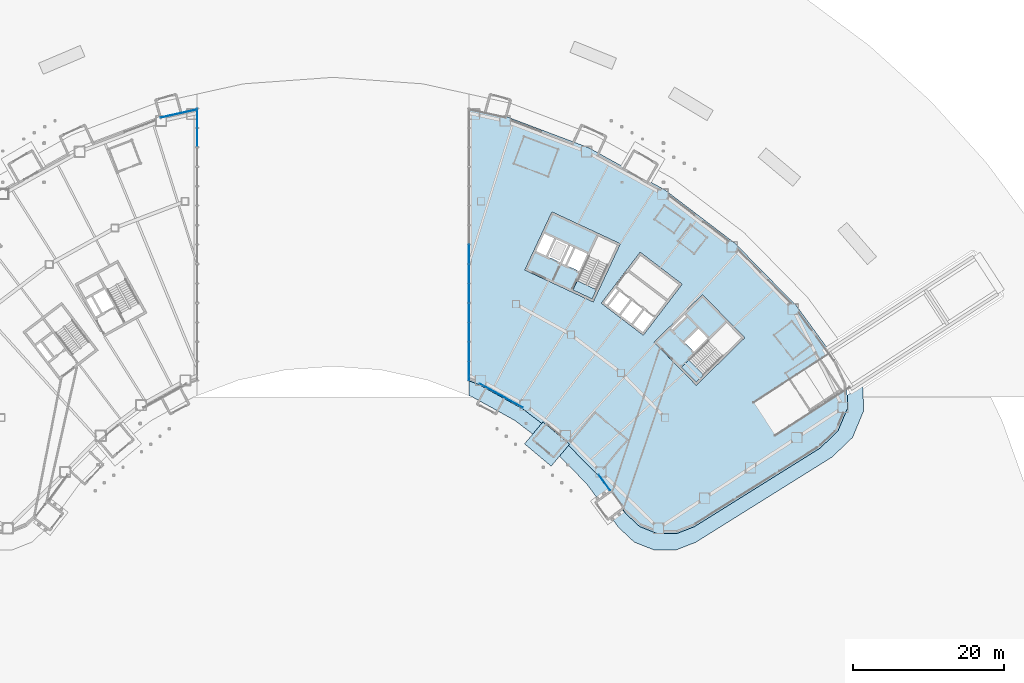
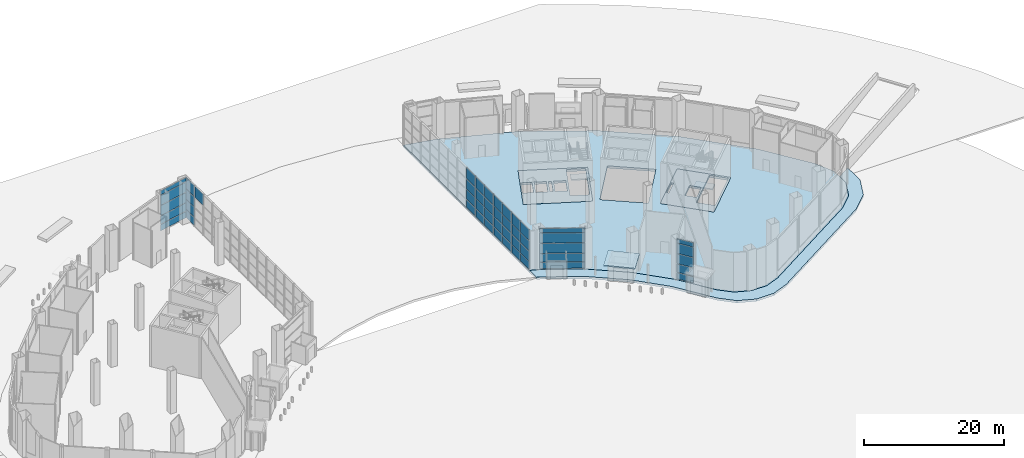
# One storey, part 28 of 45: 48 plates, 7 slabs, 10 elements without a shape of their own.
"""IFC4 building model written with IfcOpenShell, lengths in metres."""

from ifc_helpers import new_model, si_unit, direction, frame, origin, origin_2d, place, context, subcontext, project, spatial, polyline, rectangle, outline, extrude, material, layer, layer_set, type_object, element, aggregate, save


model = new_model("IFC4")

# Units and contexts
model_context = context("Model", 3, precision=1e-05, world=origin(), true_north=direction((0.0, 1.0)))
body_context = subcontext(model_context, "Body", "Model", "MODEL_VIEW")
ifc_project = project(units=[si_unit("LENGTHUNIT", "METRE"), si_unit("AREAUNIT", "SQUARE_METRE"), si_unit("VOLUMEUNIT", "CUBIC_METRE"), si_unit("PLANEANGLEUNIT", "RADIAN"), si_unit("MASSUNIT", "GRAM", prefix="KILO")], contexts=[model_context])

# Site, building, storey
site_placement = place(None, origin())
site = spatial("IfcSite", under=ifc_project, at=site_placement, CompositionType="ELEMENT")
building_placement = place(site_placement, origin())
building = spatial("IfcBuilding", under=site, at=building_placement, Name="Tuul Gate Civic Tower", CompositionType="ELEMENT")
storey_placement = place(building_placement, origin())
storey = spatial("IfcBuildingStorey", under=building, at=storey_placement, Name="Level 00", CompositionType="ELEMENT", Elevation=0.0)

# Curtain wall, plates
ifc_material_1 = material(Name="Aluminium", Category="aluminium")
ifc_layer_1 = layer(ifc_material_1, 0.199951171875)
ifc_layer_set_1 = layer_set([ifc_layer_1], Name="Aluminium")
curtain_wall_type_1 = type_object("IfcCurtainWallType", Name="Curtain wall CW1", PredefinedType="NOTDEFINED", material=ifc_layer_set_1)
curtain_wall_1_placement = place(storey_placement, origin())
curtain_wall_1 = element("IfcCurtainWall", 1, at=curtain_wall_1_placement, inside=storey, type_object=curtain_wall_type_1, Name="Curtain wall CW1", PredefinedType="NOTDEFINED")
ifc_material_2 = material(Name="Low-iron laminated glass", Category="glass")
ifc_layer_2 = layer(ifc_material_2, 0.035888671875)
ifc_layer_set_2 = layer_set([ifc_layer_2], Name="Low-iron laminated glass")
plate_type_1 = type_object("IfcPlateType", Name="CW1 panel", PredefinedType="CURTAIN_PANEL", material=ifc_layer_set_2)
plate_1_placement = place(storey_placement, frame((-20.46044921875, 17.5693359375, 0.06982421875), z_axis=(0.0, 0.0, 1.0), x_axis=(-0.976568507005, -0.215206763662, 0.0)))
plate_1 = element("IfcPlate", 2, at=plate_1_placement, type_object=plate_type_1, Name="Panel", PredefinedType="CURTAIN_PANEL", context=body_context, shape_type="SweptSolid", body=[
    extrude(rectangle(XDim=4.899169921875, YDim=0.035888671875, at=origin_2d()), origin(), (0.0, 0.0, 1.0), 1.094970703125),
])
plate_2_placement = place(storey_placement, frame((-20.46044921875, 17.5693359375, 1.23486328125), z_axis=(0.0, 0.0, 1.0), x_axis=(-0.976568507005, -0.215206763662, 0.0)))
plate_2 = element("IfcPlate", 3, at=plate_2_placement, type_object=plate_type_1, Name="Panel", PredefinedType="CURTAIN_PANEL", context=body_context, shape_type="SweptSolid", body=[
    extrude(rectangle(XDim=4.899169921875, YDim=0.035888671875, at=origin_2d()), origin(), (0.0, 0.0, 1.0), 1.429931640625),
])
plate_3_placement = place(storey_placement, frame((-20.46044921875, 17.5693359375, 2.735107421875), z_axis=(0.0, 0.0, 1.0), x_axis=(-0.976568507005, -0.215206763662, 0.0)))
plate_3 = element("IfcPlate", 4, at=plate_3_placement, type_object=plate_type_1, Name="Panel", PredefinedType="CURTAIN_PANEL", context=body_context, shape_type="SweptSolid", body=[
    extrude(rectangle(XDim=4.899169921875, YDim=0.035888671875, at=origin_2d()), origin(), (0.0, 0.0, 1.0), 1.72998046875),
])
plate_4_placement = place(storey_placement, frame((-20.46044921875, 17.5693359375, 4.534912109375), z_axis=(0.0, 0.0, 1.0), x_axis=(-0.976568507005, -0.215206763662, 0.0)))
plate_4 = element("IfcPlate", 5, at=plate_4_placement, type_object=plate_type_1, Name="Panel", PredefinedType="CURTAIN_PANEL", context=body_context, shape_type="SweptSolid", body=[
    extrude(rectangle(XDim=4.899169921875, YDim=0.035888671875, at=origin_2d()), origin(), (0.0, 0.0, 1.0), 1.72998046875),
])
plate_5_placement = place(storey_placement, frame((-20.46044921875, 17.5693359375, 6.3349609375), z_axis=(0.0, 0.0, 1.0), x_axis=(-0.976568507005, -0.215206763662, 0.0)))
plate_5 = element("IfcPlate", 6, at=plate_5_placement, type_object=plate_type_1, Name="Panel", PredefinedType="CURTAIN_PANEL", context=body_context, shape_type="SweptSolid", body=[
    extrude(rectangle(XDim=4.899169921875, YDim=0.035888671875, at=origin_2d()), origin(), (0.0, 0.0, 1.0), 0.7451171875),
])
aggregate(curtain_wall_1, [plate_1, plate_2, plate_3, plate_4, plate_5])

curtain_wall_2_placement = place(storey_placement, origin())
curtain_wall_2 = element("IfcCurtainWall", 7, at=curtain_wall_2_placement, inside=storey, type_object=curtain_wall_type_1, Name="Curtain wall CW1", PredefinedType="NOTDEFINED")
plate_6_placement = place(storey_placement, frame((22.279541015625, -19.806396484375, 0.06982421875), z_axis=(0.0, 0.0, 1.0), x_axis=(0.87466693756, -0.484724404523, 0.0)))
plate_6 = element("IfcPlate", 8, at=plate_6_placement, type_object=plate_type_1, Name="Panel", PredefinedType="CURTAIN_PANEL", context=body_context, shape_type="SweptSolid", body=[
    extrude(rectangle(XDim=6.517333984375, YDim=0.035888671875, at=origin_2d()), origin(), (0.0, 0.0, 1.0), 1.094970703125),
])
plate_7_placement = place(storey_placement, frame((22.279541015625, -19.806396484375, 1.23486328125), z_axis=(0.0, 0.0, 1.0), x_axis=(0.87466693756, -0.484724404523, 0.0)))
plate_7 = element("IfcPlate", 9, at=plate_7_placement, type_object=plate_type_1, Name="Panel", PredefinedType="CURTAIN_PANEL", context=body_context, shape_type="SweptSolid", body=[
    extrude(rectangle(XDim=6.517333984375, YDim=0.035888671875, at=origin_2d()), origin(), (0.0, 0.0, 1.0), 1.429931640625),
])
plate_8_placement = place(storey_placement, frame((22.279541015625, -19.806396484375, 2.735107421875), z_axis=(0.0, 0.0, 1.0), x_axis=(0.87466693756, -0.484724404523, 0.0)))
plate_8 = element("IfcPlate", 10, at=plate_8_placement, type_object=plate_type_1, Name="Panel", PredefinedType="CURTAIN_PANEL", context=body_context, shape_type="SweptSolid", body=[
    extrude(rectangle(XDim=6.517333984375, YDim=0.035888671875, at=origin_2d()), origin(), (0.0, 0.0, 1.0), 1.72998046875),
])
plate_9_placement = place(storey_placement, frame((22.279541015625, -19.806396484375, 4.534912109375), z_axis=(0.0, 0.0, 1.0), x_axis=(0.87466693756, -0.484724404523, 0.0)))
plate_9 = element("IfcPlate", 11, at=plate_9_placement, type_object=plate_type_1, Name="Panel", PredefinedType="CURTAIN_PANEL", context=body_context, shape_type="SweptSolid", body=[
    extrude(rectangle(XDim=6.517333984375, YDim=0.035888671875, at=origin_2d()), origin(), (0.0, 0.0, 1.0), 1.72998046875),
])
plate_10_placement = place(storey_placement, frame((22.279541015625, -19.806396484375, 6.3349609375), z_axis=(0.0, 0.0, 1.0), x_axis=(0.87466693756, -0.484724404523, 0.0)))
plate_10 = element("IfcPlate", 12, at=plate_10_placement, type_object=plate_type_1, Name="Panel", PredefinedType="CURTAIN_PANEL", context=body_context, shape_type="SweptSolid", body=[
    extrude(rectangle(XDim=6.517333984375, YDim=0.035888671875, at=origin_2d()), origin(), (0.0, 0.0, 1.0), 0.7451171875),
])
aggregate(curtain_wall_2, [plate_6, plate_7, plate_8, plate_9, plate_10])

curtain_wall_3_placement = place(storey_placement, origin())
curtain_wall_3 = element("IfcCurtainWall", 13, at=curtain_wall_3_placement, inside=storey, type_object=curtain_wall_type_1, Name="Curtain wall CW1", PredefinedType="NOTDEFINED")
plate_11_placement = place(storey_placement, frame((35.9384765625, -31.28955078125, 0.06982421875), z_axis=(0.0, 0.0, 1.0), x_axis=(0.589756302419, -0.807581267587, 0.0)))
plate_11 = element("IfcPlate", 14, at=plate_11_placement, type_object=plate_type_1, Name="Panel", PredefinedType="CURTAIN_PANEL", context=body_context, shape_type="SweptSolid", body=[
    extrude(rectangle(XDim=2.541015625, YDim=0.035888671875, at=origin_2d()), origin(), (0.0, 0.0, 1.0), 1.094970703125),
])
plate_12_placement = place(storey_placement, frame((35.9384765625, -31.28955078125, 1.23486328125), z_axis=(0.0, 0.0, 1.0), x_axis=(0.589756302419, -0.807581267587, 0.0)))
plate_12 = element("IfcPlate", 15, at=plate_12_placement, type_object=plate_type_1, Name="Panel", PredefinedType="CURTAIN_PANEL", context=body_context, shape_type="SweptSolid", body=[
    extrude(rectangle(XDim=2.541015625, YDim=0.035888671875, at=origin_2d()), origin(), (0.0, 0.0, 1.0), 1.429931640625),
])
plate_13_placement = place(storey_placement, frame((35.9384765625, -31.28955078125, 2.735107421875), z_axis=(0.0, 0.0, 1.0), x_axis=(0.589756302419, -0.807581267587, 0.0)))
plate_13 = element("IfcPlate", 16, at=plate_13_placement, type_object=plate_type_1, Name="Panel", PredefinedType="CURTAIN_PANEL", context=body_context, shape_type="SweptSolid", body=[
    extrude(rectangle(XDim=2.541015625, YDim=0.035888671875, at=origin_2d()), origin(), (0.0, 0.0, 1.0), 1.72998046875),
])
plate_14_placement = place(storey_placement, frame((35.9384765625, -31.28955078125, 4.534912109375), z_axis=(0.0, 0.0, 1.0), x_axis=(0.589756302419, -0.807581267587, 0.0)))
plate_14 = element("IfcPlate", 17, at=plate_14_placement, type_object=plate_type_1, Name="Panel", PredefinedType="CURTAIN_PANEL", context=body_context, shape_type="SweptSolid", body=[
    extrude(rectangle(XDim=2.541015625, YDim=0.035888671875, at=origin_2d()), origin(), (0.0, 0.0, 1.0), 1.72998046875),
])
plate_15_placement = place(storey_placement, frame((35.9384765625, -31.28955078125, 6.3349609375), z_axis=(0.0, 0.0, 1.0), x_axis=(0.589756302419, -0.807581267587, 0.0)))
plate_15 = element("IfcPlate", 18, at=plate_15_placement, type_object=plate_type_1, Name="Panel", PredefinedType="CURTAIN_PANEL", context=body_context, shape_type="SweptSolid", body=[
    extrude(rectangle(XDim=2.541015625, YDim=0.035888671875, at=origin_2d()), origin(), (0.0, 0.0, 1.0), 0.7451171875),
])
aggregate(curtain_wall_3, [plate_11, plate_12, plate_13, plate_14, plate_15])

ifc_material_3 = material(Name="Stainless steel", Category="steel")
ifc_layer_3 = layer(ifc_material_3, 0.199951171875)
ifc_layer_set_3 = layer_set([ifc_layer_3], Name="Stainless steel")
curtain_wall_type_2 = type_object("IfcCurtainWallType", Name="Curtain wall CW2", PredefinedType="NOTDEFINED", material=ifc_layer_set_3)
curtain_wall_4_placement = place(storey_placement, origin())
curtain_wall_4 = element("IfcCurtainWall", 19, at=curtain_wall_4_placement, inside=storey, type_object=curtain_wall_type_2, Name="Curtain wall CW2", PredefinedType="NOTDEFINED")
ifc_material_4 = material(Name="Laminated glass", Category="glass")
ifc_layer_4 = layer(ifc_material_4, 0.0439453125)
ifc_layer_set_4 = layer_set([ifc_layer_4], Name="Laminated glass")
plate_type_2 = type_object("IfcPlateType", Name="CW2 panel", PredefinedType="CURTAIN_PANEL", material=ifc_layer_set_4)
plate_16_placement = place(storey_placement, frame((-18.0, 14.4169921875, 5.14013671875), z_axis=(0.0, 0.0, 1.0), x_axis=(0.0, 1.0, 0.0)))
plate_16 = element("IfcPlate", 20, at=plate_16_placement, type_object=plate_type_2, Name="Panel", PredefinedType="CURTAIN_PANEL", context=body_context, shape_type="SweptSolid", body=[
    extrude(rectangle(XDim=2.458740234375, YDim=0.0439453125, at=origin_2d()), origin(), (0.0, 0.0, 1.0), 1.929931640625),
])
plate_17_placement = place(storey_placement, frame((-18.0, 16.95556640625, 0.080078125), z_axis=(0.0, 0.0, 1.0), x_axis=(0.0, 1.0, 0.0)))
plate_17 = element("IfcPlate", 21, at=plate_17_placement, type_object=plate_type_2, Name="Panel", PredefinedType="CURTAIN_PANEL", context=body_context, shape_type="SweptSolid", body=[
    extrude(rectangle(XDim=2.458740234375, YDim=0.0439453125, at=origin_2d()), origin(), (0.0, 0.0, 1.0), 1.3798828125),
])
plate_18_placement = place(storey_placement, frame((-18.0, 16.95556640625, 1.5400390625), z_axis=(0.0, 0.0, 1.0), x_axis=(0.0, 1.0, 0.0)))
plate_18 = element("IfcPlate", 22, at=plate_18_placement, type_object=plate_type_2, Name="Panel", PredefinedType="CURTAIN_PANEL", context=body_context, shape_type="SweptSolid", body=[
    extrude(rectangle(XDim=2.458740234375, YDim=0.0439453125, at=origin_2d()), origin(), (0.0, 0.0, 1.0), 1.719970703125),
])
plate_19_placement = place(storey_placement, frame((-18.0, 16.95556640625, 3.33984375), z_axis=(0.0, 0.0, 1.0), x_axis=(0.0, 1.0, 0.0)))
plate_19 = element("IfcPlate", 23, at=plate_19_placement, type_object=plate_type_2, Name="Panel", PredefinedType="CURTAIN_PANEL", context=body_context, shape_type="SweptSolid", body=[
    extrude(rectangle(XDim=2.458740234375, YDim=0.0439453125, at=origin_2d()), origin(), (0.0, 0.0, 1.0), 1.719970703125),
])
plate_20_placement = place(storey_placement, frame((-18.0, 16.95556640625, 5.14013671875), z_axis=(0.0, 0.0, 1.0), x_axis=(0.0, 1.0, 0.0)))
plate_20 = element("IfcPlate", 24, at=plate_20_placement, type_object=plate_type_2, Name="Panel", PredefinedType="CURTAIN_PANEL", context=body_context, shape_type="SweptSolid", body=[
    extrude(rectangle(XDim=2.458740234375, YDim=0.0439453125, at=origin_2d()), origin(), (0.0, 0.0, 1.0), 1.929931640625),
])
aggregate(curtain_wall_4, [plate_16, plate_17, plate_18, plate_19, plate_20])

curtain_wall_5_placement = place(storey_placement, origin())
curtain_wall_5 = element("IfcCurtainWall", 25, at=curtain_wall_5_placement, inside=storey, type_object=curtain_wall_type_2, Name="Curtain wall CW2", PredefinedType="NOTDEFINED")
plate_21_placement = place(storey_placement, frame((18.0, -16.526611328125, 0.080078125), z_axis=(0.0, 0.0, 1.0), x_axis=(0.0, 1.0, 0.0)))
plate_21 = element("IfcPlate", 26, at=plate_21_placement, type_object=plate_type_2, Name="Panel", PredefinedType="CURTAIN_PANEL", context=body_context, shape_type="SweptSolid", body=[
    extrude(rectangle(XDim=2.458740234375, YDim=0.0439453125, at=origin_2d()), origin(), (0.0, 0.0, 1.0), 1.3798828125),
])
plate_22_placement = place(storey_placement, frame((18.0, -16.526611328125, 1.5400390625), z_axis=(0.0, 0.0, 1.0), x_axis=(0.0, 1.0, 0.0)))
plate_22 = element("IfcPlate", 27, at=plate_22_placement, type_object=plate_type_2, Name="Panel", PredefinedType="CURTAIN_PANEL", context=body_context, shape_type="SweptSolid", body=[
    extrude(rectangle(XDim=2.458740234375, YDim=0.0439453125, at=origin_2d()), origin(), (0.0, 0.0, 1.0), 1.719970703125),
])
plate_23_placement = place(storey_placement, frame((18.0, -16.526611328125, 3.33984375), z_axis=(0.0, 0.0, 1.0), x_axis=(0.0, 1.0, 0.0)))
plate_23 = element("IfcPlate", 28, at=plate_23_placement, type_object=plate_type_2, Name="Panel", PredefinedType="CURTAIN_PANEL", context=body_context, shape_type="SweptSolid", body=[
    extrude(rectangle(XDim=2.458740234375, YDim=0.0439453125, at=origin_2d()), origin(), (0.0, 0.0, 1.0), 1.719970703125),
])
plate_24_placement = place(storey_placement, frame((18.0, -16.526611328125, 5.14013671875), z_axis=(0.0, 0.0, 1.0), x_axis=(0.0, 1.0, 0.0)))
plate_24 = element("IfcPlate", 29, at=plate_24_placement, type_object=plate_type_2, Name="Panel", PredefinedType="CURTAIN_PANEL", context=body_context, shape_type="SweptSolid", body=[
    extrude(rectangle(XDim=2.458740234375, YDim=0.0439453125, at=origin_2d()), origin(), (0.0, 0.0, 1.0), 1.929931640625),
])
plate_25_placement = place(storey_placement, frame((18.0, -13.988037109375, 0.080078125), z_axis=(0.0, 0.0, 1.0), x_axis=(0.0, 1.0, 0.0)))
plate_25 = element("IfcPlate", 30, at=plate_25_placement, type_object=plate_type_2, Name="Panel", PredefinedType="CURTAIN_PANEL", context=body_context, shape_type="SweptSolid", body=[
    extrude(rectangle(XDim=2.458740234375, YDim=0.0439453125, at=origin_2d()), origin(), (0.0, 0.0, 1.0), 1.3798828125),
])
plate_26_placement = place(storey_placement, frame((18.0, -13.988037109375, 1.5400390625), z_axis=(0.0, 0.0, 1.0), x_axis=(0.0, 1.0, 0.0)))
plate_26 = element("IfcPlate", 31, at=plate_26_placement, type_object=plate_type_2, Name="Panel", PredefinedType="CURTAIN_PANEL", context=body_context, shape_type="SweptSolid", body=[
    extrude(rectangle(XDim=2.458740234375, YDim=0.0439453125, at=origin_2d()), origin(), (0.0, 0.0, 1.0), 1.719970703125),
])
plate_27_placement = place(storey_placement, frame((18.0, -13.988037109375, 3.33984375), z_axis=(0.0, 0.0, 1.0), x_axis=(0.0, 1.0, 0.0)))
plate_27 = element("IfcPlate", 32, at=plate_27_placement, type_object=plate_type_2, Name="Panel", PredefinedType="CURTAIN_PANEL", context=body_context, shape_type="SweptSolid", body=[
    extrude(rectangle(XDim=2.458740234375, YDim=0.0439453125, at=origin_2d()), origin(), (0.0, 0.0, 1.0), 1.719970703125),
])
plate_28_placement = place(storey_placement, frame((18.0, -13.988037109375, 5.14013671875), z_axis=(0.0, 0.0, 1.0), x_axis=(0.0, 1.0, 0.0)))
plate_28 = element("IfcPlate", 33, at=plate_28_placement, type_object=plate_type_2, Name="Panel", PredefinedType="CURTAIN_PANEL", context=body_context, shape_type="SweptSolid", body=[
    extrude(rectangle(XDim=2.458740234375, YDim=0.0439453125, at=origin_2d()), origin(), (0.0, 0.0, 1.0), 1.929931640625),
])
aggregate(curtain_wall_5, [plate_21, plate_22, plate_23, plate_24, plate_25, plate_26, plate_27, plate_28])

curtain_wall_6_placement = place(storey_placement, origin())
curtain_wall_6 = element("IfcCurtainWall", 34, at=curtain_wall_6_placement, inside=storey, type_object=curtain_wall_type_2, Name="Curtain wall CW2", PredefinedType="NOTDEFINED")
plate_29_placement = place(storey_placement, frame((18.0, -11.369384765625, 0.080078125), z_axis=(0.0, 0.0, 1.0), x_axis=(0.0, 1.0, 0.0)))
plate_29 = element("IfcPlate", 35, at=plate_29_placement, type_object=plate_type_2, Name="Panel", PredefinedType="CURTAIN_PANEL", context=body_context, shape_type="SweptSolid", body=[
    extrude(rectangle(XDim=2.458740234375, YDim=0.0439453125, at=origin_2d()), origin(), (0.0, 0.0, 1.0), 1.3798828125),
])
plate_30_placement = place(storey_placement, frame((18.0, -11.369384765625, 1.5400390625), z_axis=(0.0, 0.0, 1.0), x_axis=(0.0, 1.0, 0.0)))
plate_30 = element("IfcPlate", 36, at=plate_30_placement, type_object=plate_type_2, Name="Panel", PredefinedType="CURTAIN_PANEL", context=body_context, shape_type="SweptSolid", body=[
    extrude(rectangle(XDim=2.458740234375, YDim=0.0439453125, at=origin_2d()), origin(), (0.0, 0.0, 1.0), 1.719970703125),
])
plate_31_placement = place(storey_placement, frame((18.0, -11.369384765625, 3.33984375), z_axis=(0.0, 0.0, 1.0), x_axis=(0.0, 1.0, 0.0)))
plate_31 = element("IfcPlate", 37, at=plate_31_placement, type_object=plate_type_2, Name="Panel", PredefinedType="CURTAIN_PANEL", context=body_context, shape_type="SweptSolid", body=[
    extrude(rectangle(XDim=2.458740234375, YDim=0.0439453125, at=origin_2d()), origin(), (0.0, 0.0, 1.0), 1.719970703125),
])
plate_32_placement = place(storey_placement, frame((18.0, -11.369384765625, 5.14013671875), z_axis=(0.0, 0.0, 1.0), x_axis=(0.0, 1.0, 0.0)))
plate_32 = element("IfcPlate", 38, at=plate_32_placement, type_object=plate_type_2, Name="Panel", PredefinedType="CURTAIN_PANEL", context=body_context, shape_type="SweptSolid", body=[
    extrude(rectangle(XDim=2.458740234375, YDim=0.0439453125, at=origin_2d()), origin(), (0.0, 0.0, 1.0), 1.929931640625),
])
plate_33_placement = place(storey_placement, frame((18.0, -8.830810546875, 0.080078125), z_axis=(0.0, 0.0, 1.0), x_axis=(0.0, 1.0, 0.0)))
plate_33 = element("IfcPlate", 39, at=plate_33_placement, type_object=plate_type_2, Name="Panel", PredefinedType="CURTAIN_PANEL", context=body_context, shape_type="SweptSolid", body=[
    extrude(rectangle(XDim=2.458740234375, YDim=0.0439453125, at=origin_2d()), origin(), (0.0, 0.0, 1.0), 1.3798828125),
])
plate_34_placement = place(storey_placement, frame((18.0, -8.830810546875, 1.5400390625), z_axis=(0.0, 0.0, 1.0), x_axis=(0.0, 1.0, 0.0)))
plate_34 = element("IfcPlate", 40, at=plate_34_placement, type_object=plate_type_2, Name="Panel", PredefinedType="CURTAIN_PANEL", context=body_context, shape_type="SweptSolid", body=[
    extrude(rectangle(XDim=2.458740234375, YDim=0.0439453125, at=origin_2d()), origin(), (0.0, 0.0, 1.0), 1.719970703125),
])
plate_35_placement = place(storey_placement, frame((18.0, -8.830810546875, 3.33984375), z_axis=(0.0, 0.0, 1.0), x_axis=(0.0, 1.0, 0.0)))
plate_35 = element("IfcPlate", 41, at=plate_35_placement, type_object=plate_type_2, Name="Panel", PredefinedType="CURTAIN_PANEL", context=body_context, shape_type="SweptSolid", body=[
    extrude(rectangle(XDim=2.458740234375, YDim=0.0439453125, at=origin_2d()), origin(), (0.0, 0.0, 1.0), 1.719970703125),
])
plate_36_placement = place(storey_placement, frame((18.0, -8.830810546875, 5.14013671875), z_axis=(0.0, 0.0, 1.0), x_axis=(0.0, 1.0, 0.0)))
plate_36 = element("IfcPlate", 42, at=plate_36_placement, type_object=plate_type_2, Name="Panel", PredefinedType="CURTAIN_PANEL", context=body_context, shape_type="SweptSolid", body=[
    extrude(rectangle(XDim=2.458740234375, YDim=0.0439453125, at=origin_2d()), origin(), (0.0, 0.0, 1.0), 1.929931640625),
])
aggregate(curtain_wall_6, [plate_29, plate_30, plate_31, plate_32, plate_33, plate_34, plate_35, plate_36])

curtain_wall_7_placement = place(storey_placement, origin())
curtain_wall_7 = element("IfcCurtainWall", 43, at=curtain_wall_7_placement, inside=storey, type_object=curtain_wall_type_2, Name="Curtain wall CW2", PredefinedType="NOTDEFINED")
plate_37_placement = place(storey_placement, frame((18.0, -6.212158203125, 0.080078125), z_axis=(0.0, 0.0, 1.0), x_axis=(0.0, 1.0, 0.0)))
plate_37 = element("IfcPlate", 44, at=plate_37_placement, type_object=plate_type_2, Name="Panel", PredefinedType="CURTAIN_PANEL", context=body_context, shape_type="SweptSolid", body=[
    extrude(rectangle(XDim=2.458740234375, YDim=0.0439453125, at=origin_2d()), origin(), (0.0, 0.0, 1.0), 1.3798828125),
])
plate_38_placement = place(storey_placement, frame((18.0, -6.212158203125, 1.5400390625), z_axis=(0.0, 0.0, 1.0), x_axis=(0.0, 1.0, 0.0)))
plate_38 = element("IfcPlate", 45, at=plate_38_placement, type_object=plate_type_2, Name="Panel", PredefinedType="CURTAIN_PANEL", context=body_context, shape_type="SweptSolid", body=[
    extrude(rectangle(XDim=2.458740234375, YDim=0.0439453125, at=origin_2d()), origin(), (0.0, 0.0, 1.0), 1.719970703125),
])
plate_39_placement = place(storey_placement, frame((18.0, -6.212158203125, 3.33984375), z_axis=(0.0, 0.0, 1.0), x_axis=(0.0, 1.0, 0.0)))
plate_39 = element("IfcPlate", 46, at=plate_39_placement, type_object=plate_type_2, Name="Panel", PredefinedType="CURTAIN_PANEL", context=body_context, shape_type="SweptSolid", body=[
    extrude(rectangle(XDim=2.458740234375, YDim=0.0439453125, at=origin_2d()), origin(), (0.0, 0.0, 1.0), 1.719970703125),
])
plate_40_placement = place(storey_placement, frame((18.0, -6.212158203125, 5.14013671875), z_axis=(0.0, 0.0, 1.0), x_axis=(0.0, 1.0, 0.0)))
plate_40 = element("IfcPlate", 47, at=plate_40_placement, type_object=plate_type_2, Name="Panel", PredefinedType="CURTAIN_PANEL", context=body_context, shape_type="SweptSolid", body=[
    extrude(rectangle(XDim=2.458740234375, YDim=0.0439453125, at=origin_2d()), origin(), (0.0, 0.0, 1.0), 1.929931640625),
])
plate_41_placement = place(storey_placement, frame((18.0, -3.673583984375, 0.080078125), z_axis=(0.0, 0.0, 1.0), x_axis=(0.0, 1.0, 0.0)))
plate_41 = element("IfcPlate", 48, at=plate_41_placement, type_object=plate_type_2, Name="Panel", PredefinedType="CURTAIN_PANEL", context=body_context, shape_type="SweptSolid", body=[
    extrude(rectangle(XDim=2.458740234375, YDim=0.0439453125, at=origin_2d()), origin(), (0.0, 0.0, 1.0), 1.3798828125),
])
plate_42_placement = place(storey_placement, frame((18.0, -3.673583984375, 1.5400390625), z_axis=(0.0, 0.0, 1.0), x_axis=(0.0, 1.0, 0.0)))
plate_42 = element("IfcPlate", 49, at=plate_42_placement, type_object=plate_type_2, Name="Panel", PredefinedType="CURTAIN_PANEL", context=body_context, shape_type="SweptSolid", body=[
    extrude(rectangle(XDim=2.458740234375, YDim=0.0439453125, at=origin_2d()), origin(), (0.0, 0.0, 1.0), 1.719970703125),
])
plate_43_placement = place(storey_placement, frame((18.0, -3.673583984375, 3.33984375), z_axis=(0.0, 0.0, 1.0), x_axis=(0.0, 1.0, 0.0)))
plate_43 = element("IfcPlate", 50, at=plate_43_placement, type_object=plate_type_2, Name="Panel", PredefinedType="CURTAIN_PANEL", context=body_context, shape_type="SweptSolid", body=[
    extrude(rectangle(XDim=2.458740234375, YDim=0.0439453125, at=origin_2d()), origin(), (0.0, 0.0, 1.0), 1.719970703125),
])
plate_44_placement = place(storey_placement, frame((18.0, -3.673583984375, 5.14013671875), z_axis=(0.0, 0.0, 1.0), x_axis=(0.0, 1.0, 0.0)))
plate_44 = element("IfcPlate", 51, at=plate_44_placement, type_object=plate_type_2, Name="Panel", PredefinedType="CURTAIN_PANEL", context=body_context, shape_type="SweptSolid", body=[
    extrude(rectangle(XDim=2.458740234375, YDim=0.0439453125, at=origin_2d()), origin(), (0.0, 0.0, 1.0), 1.929931640625),
])
aggregate(curtain_wall_7, [plate_37, plate_38, plate_39, plate_40, plate_41, plate_42, plate_43, plate_44])

curtain_wall_8_placement = place(storey_placement, origin())
curtain_wall_8 = element("IfcCurtainWall", 52, at=curtain_wall_8_placement, inside=storey, type_object=curtain_wall_type_2, Name="Curtain wall CW2", PredefinedType="NOTDEFINED")
plate_45_placement = place(storey_placement, frame((18.0, -1.054931640625, 0.080078125), z_axis=(0.0, 0.0, 1.0), x_axis=(0.0, 1.0, 0.0)))
plate_45 = element("IfcPlate", 53, at=plate_45_placement, type_object=plate_type_2, Name="Panel", PredefinedType="CURTAIN_PANEL", context=body_context, shape_type="SweptSolid", body=[
    extrude(rectangle(XDim=2.458740234375, YDim=0.0439453125, at=origin_2d()), origin(), (0.0, 0.0, 1.0), 1.3798828125),
])
plate_46_placement = place(storey_placement, frame((18.0, -1.054931640625, 1.5400390625), z_axis=(0.0, 0.0, 1.0), x_axis=(0.0, 1.0, 0.0)))
plate_46 = element("IfcPlate", 54, at=plate_46_placement, type_object=plate_type_2, Name="Panel", PredefinedType="CURTAIN_PANEL", context=body_context, shape_type="SweptSolid", body=[
    extrude(rectangle(XDim=2.458740234375, YDim=0.0439453125, at=origin_2d()), origin(), (0.0, 0.0, 1.0), 1.719970703125),
])
plate_47_placement = place(storey_placement, frame((18.0, -1.054931640625, 3.33984375), z_axis=(0.0, 0.0, 1.0), x_axis=(0.0, 1.0, 0.0)))
plate_47 = element("IfcPlate", 55, at=plate_47_placement, type_object=plate_type_2, Name="Panel", PredefinedType="CURTAIN_PANEL", context=body_context, shape_type="SweptSolid", body=[
    extrude(rectangle(XDim=2.458740234375, YDim=0.0439453125, at=origin_2d()), origin(), (0.0, 0.0, 1.0), 1.719970703125),
])
plate_48_placement = place(storey_placement, frame((18.0, -1.054931640625, 5.14013671875), z_axis=(0.0, 0.0, 1.0), x_axis=(0.0, 1.0, 0.0)))
plate_48 = element("IfcPlate", 56, at=plate_48_placement, type_object=plate_type_2, Name="Panel", PredefinedType="CURTAIN_PANEL", context=body_context, shape_type="SweptSolid", body=[
    extrude(rectangle(XDim=2.458740234375, YDim=0.0439453125, at=origin_2d()), origin(), (0.0, 0.0, 1.0), 1.929931640625),
])
aggregate(curtain_wall_8, [plate_45, plate_46, plate_47, plate_48])

# Slabs
ifc_material_5 = material(Name="Concrete C40/50", Category="concrete")
ifc_layer_5 = layer(ifc_material_5, 0.39990234375)
ifc_layer_set_5 = layer_set([ifc_layer_5], Name="Concrete C40/50")
slab_type_1 = type_object("IfcSlabType", Name="Core floor slab 400", PredefinedType="FLOOR", material=ifc_layer_set_5)
slab_1_placement = place(storey_placement, frame((0.0, 0.0, -0.400146484375)))
element("IfcSlab", 57, at=slab_1_placement, inside=storey, type_object=slab_type_1, Name="FLOOR SLAB", PredefinedType="FLOOR", context=body_context, shape_type="SweptSolid", body=[
    extrude(outline(polyline([(48.117919921875, -18.43310546875), (54.545166015625, -12.1328125), (48.945068359375, -6.419921875), (42.517822265625, -12.719970703125), (48.117919921875, -18.43310546875)]), holes=[polyline([(47.808837890625, -13.974853515625), (49.6298828125, -12.18994140625), (48.40478515625, -10.940185546875), (46.583984375, -12.72509765625), (47.808837890625, -13.974853515625)]), polyline([(44.93896484375, -11.046875), (46.760009765625, -9.261962890625), (46.514892578125, -9.011962890625), (44.69384765625, -10.797119140625), (44.93896484375, -11.046875)]), polyline([(49.086181640625, -17.062744140625), (47.12744140625, -15.064208984375), (52.160888671875, -10.130126953125), (54.11962890625, -12.128662109375), (49.086181640625, -17.062744140625)])]), origin(), (0.0, 0.0, 1.0), 0.400146484375),
])
slab_2_placement = place(storey_placement, frame((0.0, 0.0, -0.400146484375)))
element("IfcSlab", 58, at=slab_2_placement, inside=storey, type_object=slab_type_1, Name="FLOOR SLAB", PredefinedType="FLOOR", context=body_context, shape_type="SweptSolid", body=[
    extrude(outline(polyline([(34.465087890625, -7.385986328125), (38.056884765625, 0.31787109375), (28.993896484375, 4.543701171875), (25.40185546875, -3.159912109375), (34.465087890625, -7.385986328125)]), holes=[polyline([(32.60888671875, -3.32080078125), (33.6865234375, -1.009765625), (32.1005859375, -0.27001953125), (31.02294921875, -2.581298828125), (32.60888671875, -3.32080078125)]), polyline([(30.0712890625, -2.137451171875), (31.14892578125, 0.173583984375), (29.562744140625, 0.9130859375), (28.4853515625, -1.39794921875), (30.0712890625, -2.137451171875)]), polyline([(30.751220703125, -2.454345703125), (31.82861328125, -0.143310546875), (31.4208984375, 0.046875), (30.34326171875, -2.264404296875), (30.751220703125, -2.454345703125)]), polyline([(28.21337890625, -1.27099609375), (29.291015625, 1.0400390625), (27.8408203125, 1.71630859375), (26.76318359375, -0.594970703125), (28.21337890625, -1.27099609375)]), polyline([(34.889892578125, -5.7626953125), (32.353759765625, -4.580078125), (35.120849609375, 1.354736328125), (37.6572265625, 0.17236328125), (34.889892578125, -5.7626953125)])]), origin(), (0.0, 0.0, 1.0), 0.400146484375),
])
ifc_material_6 = material(Name="Concrete C40/50", Category="concrete")
ifc_layer_6 = layer(ifc_material_6, 0.199951171875)
ifc_layer_set_6 = layer_set([ifc_layer_6], Name="Concrete C40/50")
slab_type_2 = type_object("IfcSlabType", Name="Entrance canopy", PredefinedType="ROOF", material=ifc_layer_set_6)
slab_3_placement = place(storey_placement, frame((0.0, 0.0, 3.199951171875)))
element("IfcSlab", 59, at=slab_3_placement, inside=storey, type_object=slab_type_2, Name="Entrance canopy", PredefinedType="ROOF", context=body_context, shape_type="SweptSolid", body=[
    extrude(outline(polyline([(27.81103515625, -23.27783203125), (25.368408203125, -26.18896484375), (28.892333984375, -29.145751953125), (31.3349609375, -26.234619140625), (27.81103515625, -23.27783203125)])), origin(), (0.0, 0.0, 1.0), 0.199951171875),
])

# Stair, slab
ifc_material_7 = material(Name="Concrete C40/50", Category="concrete")
stair_type = type_object("IfcStairType", Name="Exit stair", PredefinedType="HALF_TURN_STAIR", material=ifc_material_7)
stair_1_placement = place(storey_placement, origin())
stair_1 = element("IfcStair", 60, at=stair_1_placement, inside=storey, type_object=stair_type, Name="Level 00 ST-3", PredefinedType="HALF_TURN_STAIR")
ifc_material_8 = material(Name="Concrete C40/50", Category="concrete")
ifc_layer_7 = layer(ifc_material_8, 0.199951171875)
ifc_layer_set_7 = layer_set([ifc_layer_7], Name="Concrete C40/50")
slab_type_3 = type_object("IfcSlabType", Name="Exit stair landing", PredefinedType="LANDING", material=ifc_layer_set_7)
slab_4_placement = place(storey_placement, frame((0.0, 0.0, 3.550048828125)))
slab_4 = element("IfcSlab", 61, at=slab_4_placement, type_object=slab_type_3, Name="ST-3 landing 2", PredefinedType="LANDING", context=body_context, shape_type="SweptSolid", body=[
    extrude(outline(polyline([(48.1220703125, -18.010009765625), (46.1611328125, -16.00927734375), (47.126220703125, -15.06298828125), (49.08740234375, -17.063720703125), (48.1220703125, -18.010009765625)])), origin(), (0.0, 0.0, 1.0), 0.199951171875),
])
aggregate(stair_1, [slab_4])

stair_2_placement = place(storey_placement, origin())
stair_2 = element("IfcStair", 62, at=stair_2_placement, inside=storey, type_object=stair_type, Name="Level 00 ST-4", PredefinedType="HALF_TURN_STAIR")
slab_5_placement = place(storey_placement, frame((0.0, 0.0, 3.550048828125)))
slab_5 = element("IfcSlab", 63, at=slab_5_placement, type_object=slab_type_3, Name="ST-4 landing 2", PredefinedType="LANDING", context=body_context, shape_type="SweptSolid", body=[
    extrude(outline(polyline([(34.3203125, -6.98828125), (31.781005859375, -5.804443359375), (32.352294921875, -4.57958984375), (34.891357421875, -5.763427734375), (34.3203125, -6.98828125)])), origin(), (0.0, 0.0, 1.0), 0.199951171875),
])
aggregate(stair_2, [slab_5])

# Slabs
ifc_material_9 = material(Name="Concrete C35/45", Category="concrete")
ifc_layer_8 = layer(ifc_material_9, 0.39990234375)
ifc_layer_set_8 = layer_set([ifc_layer_8], Name="Concrete C35/45")
slab_type_4 = type_object("IfcSlabType", Name="STR-FLOOR-SLAB-400", PredefinedType="FLOOR", material=ifc_layer_set_8)
slab_6_placement = place(storey_placement, frame((0.0, 0.0, -0.400146484375)))
element("IfcSlab", 64, at=slab_6_placement, inside=storey, type_object=slab_type_4, Name="Level 00/slab/E", PredefinedType="FLOOR", context=body_context, shape_type="SweptSolid", body=[
    extrude(outline(polyline([(33.844970703125, 13.056884765625), (22.964111328125, 17.1708984375), (18.0, 18.264892578125), (18.0, -17.8359375), (19.304931640625, -18.3291015625), (25.10888671875, -21.5458984375), (30.387939453125, -25.56591796875), (35.032958984375, -30.304931640625), (38.763916015625, -35.4130859375), (40.613037109375, -37.14404296875), (42.967041015625, -38.0791015625), (45.4990234375, -38.087890625), (47.85888671875, -37.1689453125), (64.535888671875, -26.7490234375), (66.89208984375, -24.490966796875), (68.15087890625, -21.48095703125), (68.10302734375, -18.218017578125), (66.757080078125, -15.24609375), (61.419921875, -7.93896484375), (53.27587890625, 0.368896484375), (44.02001953125, 7.4169921875), (33.844970703125, 13.056884765625)]), holes=[polyline([(42.51806640625, -12.719970703125), (48.945068359375, -6.419921875), (54.544921875, -12.133056640625), (48.117919921875, -18.43310546875), (42.51806640625, -12.719970703125)]), polyline([(41.10107421875, -11.797119140625), (35.531982421875, -7.555908203125), (40.680908203125, -0.79296875), (46.25, -5.033935546875), (41.10107421875, -11.797119140625)]), polyline([(25.402099609375, -3.159912109375), (28.993896484375, 4.5439453125), (38.056884765625, 0.318115234375), (34.465087890625, -7.385986328125), (25.402099609375, -3.159912109375)])]), origin(), (0.0, 0.0, 1.0), 0.400146484375),
])
ifc_material_10 = material(Name="Concrete C40/50", Category="concrete")
ifc_layer_9 = layer(ifc_material_10, 0.39990234375)
ifc_layer_set_9 = layer_set([ifc_layer_9], Name="Concrete C40/50")
slab_type_5 = type_object("IfcSlabType", Name="Street slab", PredefinedType="USERDEFINED", material=ifc_layer_set_9)
slab_7_placement = place(storey_placement, frame((0.0, 0.0, -0.400146484375)))
element("IfcSlab", 65, at=slab_7_placement, inside=storey, type_object=slab_type_5, Name="Plaza deck", ObjectType="PAVING", PredefinedType="USERDEFINED", context=body_context, shape_type="SweptSolid", body=[
    extrude(outline(polyline([(42.547119140625, -40.25390625), (39.89794921875, -39.201904296875), (37.81689453125, -37.2529296875), (33.617919921875, -31.50390625), (29.160888671875, -26.95703125), (24.094970703125, -23.09912109375), (18.52490234375, -20.011962890625), (18.0, -19.8134765625), (18.0, -17.83544921875), (19.304931640625, -18.3291015625), (25.10888671875, -21.5458984375), (30.387939453125, -25.56591796875), (35.032958984375, -30.304931640625), (38.763916015625, -35.4130859375), (40.613037109375, -37.14404296875), (42.967041015625, -38.0791015625), (45.4990234375, -38.087890625), (47.85888671875, -37.1689453125), (64.535888671875, -26.7490234375), (66.89208984375, -24.490966796875), (68.15087890625, -21.48095703125), (68.12548828125, -19.753173828125), (70.2177734375, -18.39453125), (70.26806640625, -21.889892578125), (68.821044921875, -25.35009765625), (66.112060546875, -27.945068359375), (48.052978515625, -39.22998046875), (45.39697265625, -40.262939453125), (42.547119140625, -40.25390625)])), origin(), (0.0, 0.0, 1.0), 0.400146484375),
])

save(model, "model.ifc")
